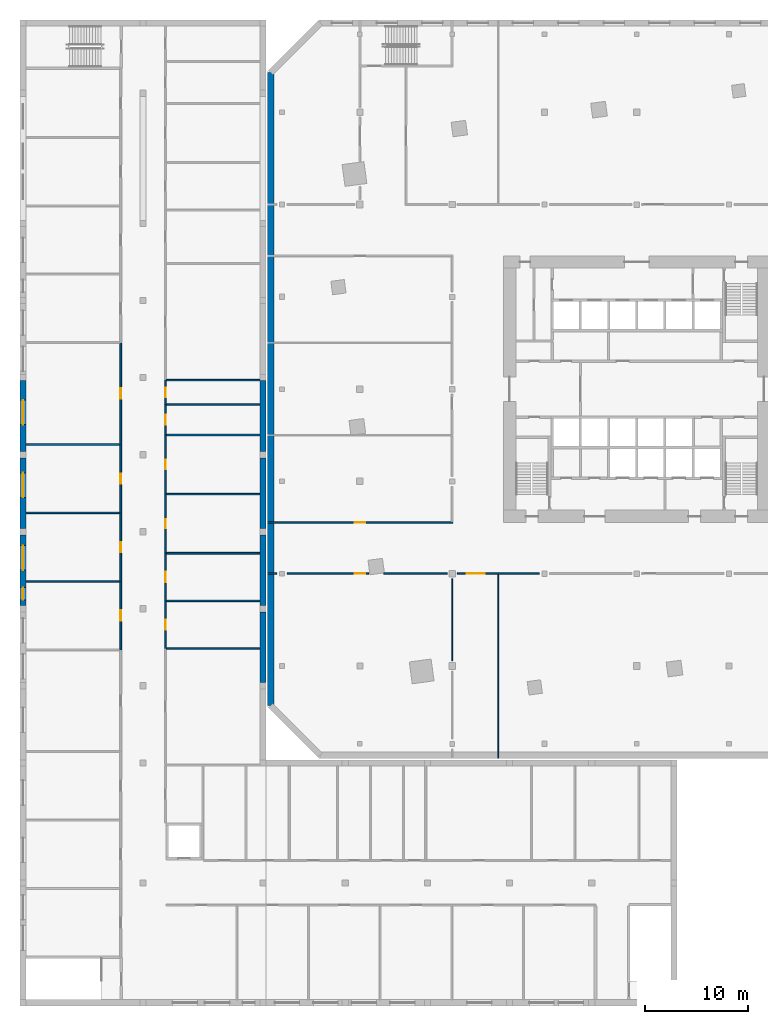
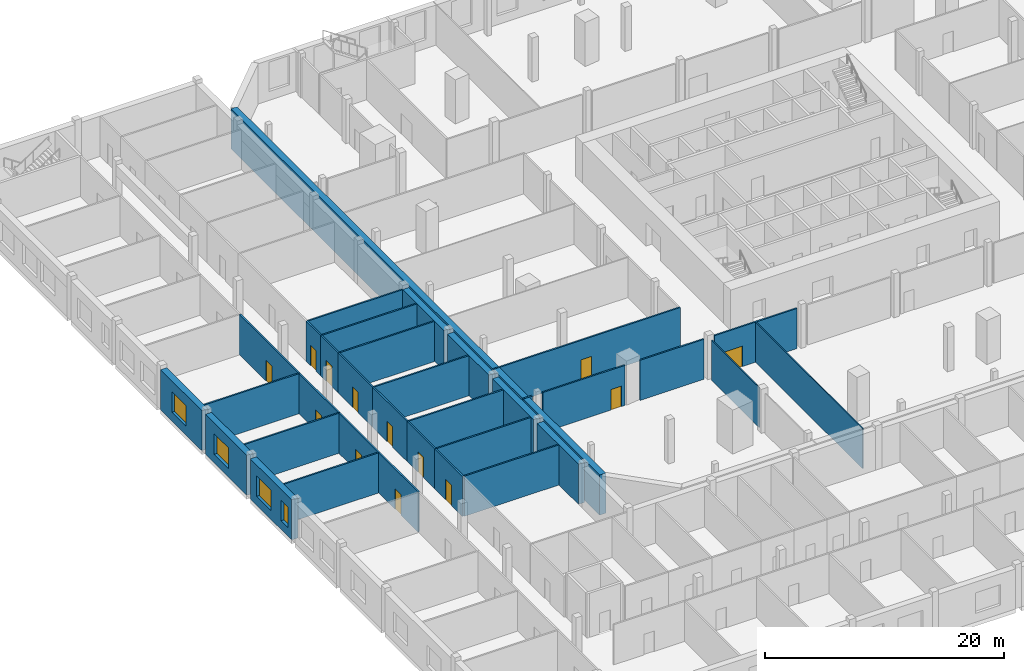
# One storey, part 6 of 18: 35 walls, 13 doors, 4 windows, 17 openings.
"""IFC4 building model written with IfcOpenShell, lengths in metres."""

from ifc_helpers import new_model, si_unit, direction, frame, frame_2d, origin, place, context, subcontext, project, spatial, rectangle, extrude, material, layer, layer_set, type_object, element, fill, save


model = new_model("IFC4")

# Units and contexts
model_context = context("Model", 3, precision=1e-05, world=origin(), true_north=direction((0.0, 1.0)))
body_context = subcontext(model_context, "Body", "Model", "MODEL_VIEW")
ifc_project = project(units=[si_unit("LENGTHUNIT", "METRE"), si_unit("AREAUNIT", "SQUARE_METRE"), si_unit("VOLUMEUNIT", "CUBIC_METRE"), si_unit("PLANEANGLEUNIT", "RADIAN"), si_unit("MASSUNIT", "GRAM", prefix="KILO")], contexts=[model_context])

# Site, building, storey
site_placement = place(None, origin())
site = spatial("IfcSite", under=ifc_project, at=site_placement, CompositionType="ELEMENT")
building_placement = place(site_placement, origin())
building = spatial("IfcBuilding", under=site, at=building_placement, Name="Dilmun Exchange Tower", CompositionType="ELEMENT")
storey_placement = place(building_placement, frame((0.0, 0.0, 13.5)))
storey = spatial("IfcBuildingStorey", under=building, at=storey_placement, Name="L03", CompositionType="ELEMENT", Elevation=13.5)

# Wall
ifc_material_1 = material(Name="Fire partition EI 60 150 gypsum")
ifc_layer_1 = layer(ifc_material_1, 0.14990234375)
ifc_layer_set_1 = layer_set([ifc_layer_1], Name="Fire partition EI 60 150 gypsum")
wall_type_1 = type_object("IfcWallType", Name="Fire partition EI 60 150 gypsum", PredefinedType="PARTITIONING", material=ifc_layer_set_1)
wall_1_placement = place(storey_placement, frame((-36.0, -18.0, 0.0), z_axis=(0.0, 0.0, 1.0), x_axis=(1.0, 0.0, 0.0)))
element("IfcWall", 1, at=wall_1_placement, inside=storey, type_object=wall_type_1, Name="L03 partition", PredefinedType="PARTITIONING", context=body_context, shape_type="SweptSolid", body=[
    extrude(rectangle(XDim=0.89990234375, YDim=0.14990234375, at=frame_2d((0.449951171875, 0.0))), origin(), (0.0, 0.0, 1.0), 4.10009765625),
])

# Wall, opening, door
wall_2_placement = place(storey_placement, frame((-34.10009765625, -18.0, 0.0), z_axis=(0.0, 0.0, 1.0), x_axis=(1.0, 0.0, 0.0)))
wall_2 = element("IfcWall", 2, at=wall_2_placement, inside=storey, type_object=wall_type_1, Name="L03 partition", PredefinedType="PARTITIONING", context=body_context, shape_type="SweptSolid", body=[
    extrude(rectangle(XDim=7.956787109375, YDim=0.14990234375, at=frame_2d((3.978515625, 0.0))), origin(), (0.0, 0.0, 1.0), 4.10009765625),
])
opening_1_placement = place(wall_2_placement, frame((6.60009765625, 0.0, 0.0)))
opening_1 = element("IfcOpeningElement", 3, at=opening_1_placement, cuts=wall_2, Name="Opening L03-D012", PredefinedType="OPENING", context=body_context, shape_type="SweptSolid", body=[
    extrude(rectangle(XDim=1.0, YDim=2.10009765625, at=frame_2d((0.5, 1.050048828125))), frame((0.0, 0.0849609375, 0.0), z_axis=(0.0, -1.0, 0.0), x_axis=(1.0, 0.0, 0.0)), (0.0, 0.0, 1.0), 0.169921875),
])
ifc_material_2 = material(Name="Fire door FD60 1000 x 2100")
door_type_1 = type_object("IfcDoorType", Name="Fire door FD60 1000 x 2100", OperationType="SINGLE_SWING_LEFT", PredefinedType="DOOR", material=ifc_material_2)
door_1_placement = place(opening_1_placement, origin())
door_1 = element("IfcDoor", 4, at=door_1_placement, inside=storey, type_object=door_type_1, Name="L03 door L03-D012", OperationType="SINGLE_SWING_RIGHT", OverallHeight=2.10009765625, OverallWidth=1.0, PredefinedType="DOOR", context=body_context, shape_type="SweptSolid", body=[
    extrude(rectangle(XDim=1.0, YDim=2.10009765625, at=frame_2d((0.5, 1.050048828125))), frame((0.0, 0.02490234375, 0.0), z_axis=(0.0, -1.0, 0.0), x_axis=(1.0, 0.0, 0.0)), (0.0, 0.0, 1.0), 0.050048828125),
])
fill(opening_1, door_1)

# Wall
wall_3_placement = place(storey_placement, frame((-24.680908203125, -18.0, 0.0), z_axis=(0.0, 0.0, 1.0), x_axis=(1.0, 0.0, 0.0)))
element("IfcWall", 5, at=wall_3_placement, inside=storey, type_object=wall_type_1, Name="L03 partition", PredefinedType="PARTITIONING", context=body_context, shape_type="SweptSolid", body=[
    extrude(rectangle(XDim=6.180908203125, YDim=0.14990234375, at=frame_2d((3.09033203125, 0.0))), origin(), (0.0, 0.0, 1.0), 4.10009765625),
])

# Wall, opening, door
wall_4_placement = place(storey_placement, frame((-17.5, -18.0, 0.0), z_axis=(0.0, 0.0, 1.0), x_axis=(1.0, 0.0, 0.0)))
wall_4 = element("IfcWall", 6, at=wall_4_placement, inside=storey, type_object=wall_type_1, Name="L03 partition", PredefinedType="PARTITIONING", context=body_context, shape_type="SweptSolid", body=[
    extrude(rectangle(XDim=8.0, YDim=0.14990234375, at=frame_2d((4.0, 0.0))), origin(), (0.0, 0.0, 1.0), 4.10009765625),
])
opening_2_placement = place(wall_4_placement, frame((0.89990234375, 0.0, 0.0)))
opening_2 = element("IfcOpeningElement", 7, at=opening_2_placement, cuts=wall_4, Name="Opening L03-D013", PredefinedType="OPENING", context=body_context, shape_type="SweptSolid", body=[
    extrude(rectangle(XDim=1.800048828125, YDim=2.10009765625, at=frame_2d((0.89990234375, 1.050048828125))), frame((0.0, 0.0849609375, 0.0), z_axis=(0.0, -1.0, 0.0), x_axis=(1.0, 0.0, 0.0)), (0.0, 0.0, 1.0), 0.169921875),
])
ifc_material_3 = material(Name="Fire door FD60 double 1800 x 2100")
door_type_2 = type_object("IfcDoorType", Name="Fire door FD60 double 1800 x 2100", OperationType="DOUBLE_DOOR_SINGLE_SWING", PredefinedType="DOOR", material=ifc_material_3)
door_2_placement = place(opening_2_placement, origin())
door_2 = element("IfcDoor", 8, at=door_2_placement, inside=storey, type_object=door_type_2, Name="L03 door L03-D013", OperationType="DOUBLE_DOOR_SINGLE_SWING", OverallHeight=2.10009765625, OverallWidth=1.800048828125, PredefinedType="DOOR", context=body_context, shape_type="SweptSolid", body=[
    extrude(rectangle(XDim=1.800048828125, YDim=2.10009765625, at=frame_2d((0.89990234375, 1.050048828125))), frame((0.0, 0.02490234375, 0.0), z_axis=(0.0, -1.0, 0.0), x_axis=(1.0, 0.0, 0.0)), (0.0, 0.0, 1.0), 0.050048828125),
])
fill(opening_2, door_2)

wall_5_placement = place(storey_placement, frame((-36.0, -13.0, 0.0), z_axis=(0.0, 0.0, 1.0), x_axis=(1.0, 0.0, 0.0)))
wall_5 = element("IfcWall", 9, at=wall_5_placement, inside=storey, type_object=wall_type_1, Name="L03 partition", PredefinedType="PARTITIONING", context=body_context, shape_type="SweptSolid", body=[
    extrude(rectangle(XDim=18.074951171875, YDim=0.14990234375, at=frame_2d((9.03759765625, 0.0))), origin(), (0.0, 0.0, 1.0), 4.10009765625),
])
opening_3_placement = place(wall_5_placement, frame((8.5, 0.0, 0.0)))
opening_3 = element("IfcOpeningElement", 10, at=opening_3_placement, cuts=wall_5, Name="Opening L03-D017", PredefinedType="OPENING", context=body_context, shape_type="SweptSolid", body=[
    extrude(rectangle(XDim=1.0, YDim=2.10009765625, at=frame_2d((0.5, 1.050048828125))), frame((0.0, 0.0849609375, 0.0), z_axis=(0.0, -1.0, 0.0), x_axis=(1.0, 0.0, 0.0)), (0.0, 0.0, 1.0), 0.169921875),
])
door_3_placement = place(opening_3_placement, origin())
door_3 = element("IfcDoor", 11, at=door_3_placement, inside=storey, type_object=door_type_1, Name="L03 door L03-D017", OperationType="SINGLE_SWING_LEFT", OverallHeight=2.10009765625, OverallWidth=1.0, PredefinedType="DOOR", context=body_context, shape_type="SweptSolid", body=[
    extrude(rectangle(XDim=1.0, YDim=2.10009765625, at=frame_2d((0.5, 1.050048828125))), frame((0.0, 0.02490234375, 0.0), z_axis=(0.0, -1.0, 0.0), x_axis=(1.0, 0.0, 0.0)), (0.0, 0.0, 1.0), 0.050048828125),
])
fill(opening_3, door_3)

# Walls
ifc_material_4 = material(Name="Partition 100 gypsum")
ifc_layer_2 = layer(ifc_material_4, 0.10009765625)
ifc_layer_set_2 = layer_set([ifc_layer_2], Name="Partition 100 gypsum")
wall_type_2 = type_object("IfcWallType", Name="Partition 100 gypsum", PredefinedType="PARTITIONING", material=ifc_layer_set_2)
wall_6_placement = place(storey_placement, frame((-18.0, -26.5, 0.0), z_axis=(0.0, 0.0, 1.0), x_axis=(0.0, 1.0, 0.0)))
element("IfcWall", 12, at=wall_6_placement, inside=storey, type_object=wall_type_2, Name="L03 partition", PredefinedType="PARTITIONING", context=body_context, shape_type="SweptSolid", body=[
    extrude(rectangle(XDim=8.0, YDim=0.10009765625, at=frame_2d((4.0, 0.0))), origin(), (0.0, 0.0, 1.0), 4.10009765625),
])
wall_7_placement = place(storey_placement, frame((-13.5, -36.0, 0.0), z_axis=(0.0, 0.0, 1.0), x_axis=(0.0, 1.0, 0.0)))
element("IfcWall", 13, at=wall_7_placement, inside=storey, type_object=wall_type_2, Name="L03 partition", PredefinedType="PARTITIONING", context=body_context, shape_type="SweptSolid", body=[
    extrude(rectangle(XDim=17.925048828125, YDim=0.10009765625, at=frame_2d((8.96240234375, 0.0))), origin(), (0.0, 0.0, 1.0), 4.10009765625),
])
ifc_material_5 = material(Name="Precast concrete C50/60", Category="concrete")
ifc_layer_3 = layer(ifc_material_5, 0.60009765625)
ifc_layer_set_3 = layer_set([ifc_layer_3], Name="Precast concrete C50/60")
wall_type_3 = type_object("IfcWallType", Name="Precast stone-clad wall 600", PredefinedType="STANDARD", material=ifc_layer_set_3)
wall_8_placement = place(storey_placement, frame((-35.699951171875, 30.875732421875, 0.0), z_axis=(0.0, 0.0, 1.0), x_axis=(0.0, -1.0, 0.0)))
element("IfcWall", 14, at=wall_8_placement, inside=storey, type_object=wall_type_3, Name="Facade wall L03-06-0", PredefinedType="STANDARD", context=body_context, shape_type="SweptSolid", body=[
    extrude(rectangle(XDim=61.75146484375, YDim=0.60009765625, at=frame_2d((30.875732421875, 0.0))), origin(), (0.0, 0.0, 1.0), 4.10009765625),
])

# Wall, openings, windows
ifc_material_6 = material(Name="Precast concrete C40/50", Category="concrete")
ifc_layer_4 = layer(ifc_material_6, 0.60009765625)
ifc_layer_set_4 = layer_set([ifc_layer_4], Name="Precast concrete C40/50")
wall_type_4 = type_object("IfcWallType", Name="School external wall 600 precast C40/50", PredefinedType="STANDARD", material=ifc_layer_set_4)
wall_9_placement = place(storey_placement, frame((-59.85009765625, -21.121337890625, 0.0), z_axis=(0.0, 0.0, 1.0), x_axis=(0.0, 1.0, 0.0)))
wall_9 = element("IfcWall", 15, at=wall_9_placement, inside=storey, type_object=wall_type_4, Name="School external wall", PredefinedType="STANDARD", context=body_context, shape_type="SweptSolid", body=[
    extrude(rectangle(XDim=6.914306640625, YDim=0.60009765625, at=frame_2d((3.45703125, 0.0))), origin(), (0.0, 0.0, 1.0), 4.10009765625),
])
opening_4_placement = place(wall_9_placement, frame((0.564208984375, 0.0, 0.89990234375)))
opening_4 = element("IfcOpeningElement", 16, at=opening_4_placement, cuts=wall_9, Name="Opening SCH-W12", PredefinedType="OPENING", context=body_context, shape_type="SweptSolid", body=[
    extrude(rectangle(XDim=1.199951171875, YDim=2.10009765625, at=frame_2d((0.60009765625, 1.050048828125))), frame((0.0, 0.31005859375, 0.0), z_axis=(0.0, -1.0, 0.0), x_axis=(1.0, 0.0, 0.0)), (0.0, 0.0, 1.0), 0.6201171875),
])
opening_5_placement = place(wall_9_placement, frame((3.46630859375, 0.0, 0.89990234375)))
opening_5 = element("IfcOpeningElement", 17, at=opening_5_placement, cuts=wall_9, Name="Opening SCH-W24", PredefinedType="OPENING", context=body_context, shape_type="SweptSolid", body=[
    extrude(rectangle(XDim=2.39990234375, YDim=2.10009765625, at=frame_2d((1.199951171875, 1.050048828125))), frame((0.0, 0.31005859375, 0.0), z_axis=(0.0, -1.0, 0.0), x_axis=(1.0, 0.0, 0.0)), (0.0, 0.0, 1.0), 0.6201171875),
])
ifc_material_7 = material(Name="Clear low-emissivity glass in aluminium frame", Category="aluminium")
window_type_1 = type_object("IfcWindowType", Name="School window 1200 x 2100", PartitioningType="DOUBLE_PANEL_VERTICAL", PredefinedType="WINDOW", material=ifc_material_7)
window_1_placement = place(opening_4_placement, origin())
window_1 = element("IfcWindow", 18, at=window_1_placement, inside=storey, type_object=window_type_1, Name="School window", OverallHeight=2.10009765625, OverallWidth=1.199951171875, PartitioningType="SINGLE_PANEL", PredefinedType="WINDOW", context=body_context, shape_type="SweptSolid", body=[
    extrude(rectangle(XDim=1.199951171875, YDim=2.10009765625, at=frame_2d((0.60009765625, 1.050048828125))), frame((0.0, 0.030029296875, 0.0), z_axis=(0.0, -1.0, 0.0), x_axis=(1.0, 0.0, 0.0)), (0.0, 0.0, 1.0), 0.06005859375),
])
fill(opening_4, window_1)
window_type_2 = type_object("IfcWindowType", Name="School window 2400 x 2100", PartitioningType="DOUBLE_PANEL_VERTICAL", PredefinedType="WINDOW", material=ifc_material_7)
window_2_placement = place(opening_5_placement, origin())
window_2 = element("IfcWindow", 19, at=window_2_placement, inside=storey, type_object=window_type_2, Name="School window", OverallHeight=2.10009765625, OverallWidth=2.39990234375, PartitioningType="SINGLE_PANEL", PredefinedType="WINDOW", context=body_context, shape_type="SweptSolid", body=[
    extrude(rectangle(XDim=2.39990234375, YDim=2.10009765625, at=frame_2d((1.199951171875, 1.050048828125))), frame((0.0, 0.030029296875, 0.0), z_axis=(0.0, -1.0, 0.0), x_axis=(1.0, 0.0, 0.0)), (0.0, 0.0, 1.0), 0.06005859375),
])
fill(opening_5, window_2)

# Wall, opening, window
wall_10_placement = place(storey_placement, frame((-59.85009765625, -13.607177734375, 0.0), z_axis=(0.0, 0.0, 1.0), x_axis=(0.0, 1.0, 0.0)))
wall_10 = element("IfcWall", 20, at=wall_10_placement, inside=storey, type_object=wall_type_4, Name="School external wall", PredefinedType="STANDARD", context=body_context, shape_type="SweptSolid", body=[
    extrude(rectangle(XDim=6.914306640625, YDim=0.60009765625, at=frame_2d((3.45703125, 0.0))), origin(), (0.0, 0.0, 1.0), 4.10009765625),
])
opening_6_placement = place(wall_10_placement, frame((3.045654296875, 0.0, 0.89990234375)))
opening_6 = element("IfcOpeningElement", 21, at=opening_6_placement, cuts=wall_10, Name="Opening SCH-W24", PredefinedType="OPENING", context=body_context, shape_type="SweptSolid", body=[
    extrude(rectangle(XDim=2.39990234375, YDim=2.10009765625, at=frame_2d((1.199951171875, 1.050048828125))), frame((0.0, 0.31005859375, 0.0), z_axis=(0.0, -1.0, 0.0), x_axis=(1.0, 0.0, 0.0)), (0.0, 0.0, 1.0), 0.6201171875),
])
window_3_placement = place(opening_6_placement, origin())
window_3 = element("IfcWindow", 22, at=window_3_placement, inside=storey, type_object=window_type_2, Name="School window", OverallHeight=2.10009765625, OverallWidth=2.39990234375, PartitioningType="SINGLE_PANEL", PredefinedType="WINDOW", context=body_context, shape_type="SweptSolid", body=[
    extrude(rectangle(XDim=2.39990234375, YDim=2.10009765625, at=frame_2d((1.199951171875, 1.050048828125))), frame((0.0, 0.030029296875, 0.0), z_axis=(0.0, -1.0, 0.0), x_axis=(1.0, 0.0, 0.0)), (0.0, 0.0, 1.0), 0.06005859375),
])
fill(opening_6, window_3)

wall_11_placement = place(storey_placement, frame((-59.85009765625, -6.093017578125, 0.0), z_axis=(0.0, 0.0, 1.0), x_axis=(0.0, 1.0, 0.0)))
wall_11 = element("IfcWall", 23, at=wall_11_placement, inside=storey, type_object=wall_type_4, Name="School external wall", PredefinedType="STANDARD", context=body_context, shape_type="SweptSolid", body=[
    extrude(rectangle(XDim=6.914306640625, YDim=0.60009765625, at=frame_2d((3.45703125, 0.0))), origin(), (0.0, 0.0, 1.0), 4.10009765625),
])
opening_7_placement = place(wall_11_placement, frame((2.625, 0.0, 0.89990234375)))
opening_7 = element("IfcOpeningElement", 24, at=opening_7_placement, cuts=wall_11, Name="Opening SCH-W24", PredefinedType="OPENING", context=body_context, shape_type="SweptSolid", body=[
    extrude(rectangle(XDim=2.39990234375, YDim=2.10009765625, at=frame_2d((1.199951171875, 1.050048828125))), frame((0.0, 0.31005859375, 0.0), z_axis=(0.0, -1.0, 0.0), x_axis=(1.0, 0.0, 0.0)), (0.0, 0.0, 1.0), 0.6201171875),
])
window_4_placement = place(opening_7_placement, origin())
window_4 = element("IfcWindow", 25, at=window_4_placement, inside=storey, type_object=window_type_2, Name="School window", OverallHeight=2.10009765625, OverallWidth=2.39990234375, PartitioningType="SINGLE_PANEL", PredefinedType="WINDOW", context=body_context, shape_type="SweptSolid", body=[
    extrude(rectangle(XDim=2.39990234375, YDim=2.10009765625, at=frame_2d((1.199951171875, 1.050048828125))), frame((0.0, 0.030029296875, 0.0), z_axis=(0.0, -1.0, 0.0), x_axis=(1.0, 0.0, 0.0)), (0.0, 0.0, 1.0), 0.06005859375),
])
fill(opening_7, window_4)

# Walls
for number, where, z_axis, x_axis, name in (
    (26, (-36.449951171875, 0.8212890625, 0.0), (0.0, 0.0, 1.0), (0.0, -1.0, 0.0), "School external wall"),
    (27, (-36.449951171875, -6.69287109375, 0.0), (0.0, 0.0, 1.0), (0.0, -1.0, 0.0), "School external wall"),
    (28, (-36.449951171875, -14.20703125, 0.0), (0.0, 0.0, 1.0), (0.0, -1.0, 0.0), "School external wall"),
    (29, (-36.449951171875, -21.721435546875, 0.0), (0.0, 0.0, 1.0), (0.0, -1.0, 0.0), "School external wall"),
):
    element("IfcWall", number, at=place(storey_placement, frame(where, z_axis=z_axis, x_axis=x_axis)), inside=storey, type_object=wall_type_4, Name=name, PredefinedType="STANDARD", context=body_context, shape_type="SweptSolid", body=[
        extrude(rectangle(XDim=6.914306640625, YDim=0.60009765625, at=frame_2d((3.45703125, 0.0))), origin(), (0.0, 0.0, 1.0), 4.10009765625),
    ])
ifc_material_8 = material(Name="Gypsum board on steel studs", Category="steel")
ifc_layer_5 = layer(ifc_material_8, 0.14990234375)
ifc_layer_set_5 = layer_set([ifc_layer_5], Name="Gypsum board on steel studs")
wall_type_5 = type_object("IfcWallType", Name="School partition 150 gypsum board", PredefinedType="PARTITIONING", material=ifc_layer_set_5)
for number, where, z_axis, x_axis, name in (
    (30, (-59.550048828125, -18.748046875, 0.0), (0.0, 0.0, 1.0), (1.0, 0.0, 0.0), "School partition"),
    (31, (-59.550048828125, -12.074951171875, 0.0), (0.0, 0.0, 1.0), (1.0, 0.0, 0.0), "School partition"),
    (32, (-59.550048828125, -5.40185546875, 0.0), (0.0, 0.0, 1.0), (1.0, 0.0, 0.0), "School partition"),
):
    element("IfcWall", number, at=place(storey_placement, frame(where, z_axis=z_axis, x_axis=x_axis)), inside=storey, type_object=wall_type_5, Name=name, PredefinedType="PARTITIONING", context=body_context, shape_type="SweptSolid", body=[
        extrude(rectangle(XDim=9.150146484375, YDim=0.14990234375, at=frame_2d((4.5751953125, 0.0))), origin(), (0.0, 0.0, 1.0), 4.10009765625),
    ])

# Wall, opening, door
wall_12_placement = place(storey_placement, frame((-50.324951171875, -25.421142578125, 0.0), z_axis=(0.0, 0.0, 1.0), x_axis=(0.0, 1.0, 0.0)))
wall_12 = element("IfcWall", 33, at=wall_12_placement, inside=storey, type_object=wall_type_5, Name="School corridor wall", PredefinedType="PARTITIONING", context=body_context, shape_type="SweptSolid", body=[
    extrude(rectangle(XDim=6.673095703125, YDim=0.14990234375, at=frame_2d((3.33642578125, 0.0))), origin(), (0.0, 0.0, 1.0), 4.10009765625),
])
opening_8_placement = place(wall_12_placement, frame((2.83642578125, 0.0, 0.0)))
opening_8 = element("IfcOpeningElement", 34, at=opening_8_placement, cuts=wall_12, Name="Opening SCH-D1", PredefinedType="OPENING", context=body_context, shape_type="SweptSolid", body=[
    extrude(rectangle(XDim=1.0, YDim=2.10009765625, at=frame_2d((0.5, 1.050048828125))), frame((0.0, 0.0849609375, 0.0), z_axis=(0.0, -1.0, 0.0), x_axis=(1.0, 0.0, 0.0)), (0.0, 0.0, 1.0), 0.169921875),
])
ifc_material_9 = material(Name="Timber door leaf in steel frame", Category="steel")
door_type_3 = type_object("IfcDoorType", Name="School door FD30S 1000 x 2100", OperationType="NOTDEFINED", PredefinedType="DOOR", material=ifc_material_9)
door_4_placement = place(opening_8_placement, origin())
door_4 = element("IfcDoor", 35, at=door_4_placement, inside=storey, type_object=door_type_3, Name="Classroom door", OperationType="SINGLE_SWING_RIGHT", OverallHeight=2.10009765625, OverallWidth=1.0, PredefinedType="DOOR", context=body_context, shape_type="SweptSolid", body=[
    extrude(rectangle(XDim=1.0, YDim=2.10009765625, at=frame_2d((0.5, 1.050048828125))), frame((0.0, 0.02490234375, 0.0), z_axis=(0.0, -1.0, 0.0), x_axis=(1.0, 0.0, 0.0)), (0.0, 0.0, 1.0), 0.050048828125),
])
fill(opening_8, door_4)

wall_13_placement = place(storey_placement, frame((-50.324951171875, -18.748046875, 0.0), z_axis=(0.0, 0.0, 1.0), x_axis=(0.0, 1.0, 0.0)))
wall_13 = element("IfcWall", 36, at=wall_13_placement, inside=storey, type_object=wall_type_5, Name="School corridor wall", PredefinedType="PARTITIONING", context=body_context, shape_type="SweptSolid", body=[
    extrude(rectangle(XDim=6.673095703125, YDim=0.14990234375, at=frame_2d((3.33642578125, 0.0))), origin(), (0.0, 0.0, 1.0), 4.10009765625),
])
opening_9_placement = place(wall_13_placement, frame((2.83642578125, 0.0, 0.0)))
opening_9 = element("IfcOpeningElement", 37, at=opening_9_placement, cuts=wall_13, Name="Opening SCH-D1", PredefinedType="OPENING", context=body_context, shape_type="SweptSolid", body=[
    extrude(rectangle(XDim=1.0, YDim=2.10009765625, at=frame_2d((0.5, 1.050048828125))), frame((0.0, 0.0849609375, 0.0), z_axis=(0.0, -1.0, 0.0), x_axis=(1.0, 0.0, 0.0)), (0.0, 0.0, 1.0), 0.169921875),
])
door_5_placement = place(opening_9_placement, origin())
door_5 = element("IfcDoor", 38, at=door_5_placement, inside=storey, type_object=door_type_3, Name="Classroom door", OperationType="SINGLE_SWING_LEFT", OverallHeight=2.10009765625, OverallWidth=1.0, PredefinedType="DOOR", context=body_context, shape_type="SweptSolid", body=[
    extrude(rectangle(XDim=1.0, YDim=2.10009765625, at=frame_2d((0.5, 1.050048828125))), frame((0.0, 0.02490234375, 0.0), z_axis=(0.0, -1.0, 0.0), x_axis=(1.0, 0.0, 0.0)), (0.0, 0.0, 1.0), 0.050048828125),
])
fill(opening_9, door_5)

wall_14_placement = place(storey_placement, frame((-50.324951171875, -12.074951171875, 0.0), z_axis=(0.0, 0.0, 1.0), x_axis=(0.0, 1.0, 0.0)))
wall_14 = element("IfcWall", 39, at=wall_14_placement, inside=storey, type_object=wall_type_5, Name="School corridor wall", PredefinedType="PARTITIONING", context=body_context, shape_type="SweptSolid", body=[
    extrude(rectangle(XDim=6.673095703125, YDim=0.14990234375, at=frame_2d((3.33642578125, 0.0))), origin(), (0.0, 0.0, 1.0), 4.10009765625),
])
opening_10_placement = place(wall_14_placement, frame((2.83642578125, 0.0, 0.0)))
opening_10 = element("IfcOpeningElement", 40, at=opening_10_placement, cuts=wall_14, Name="Opening SCH-D1", PredefinedType="OPENING", context=body_context, shape_type="SweptSolid", body=[
    extrude(rectangle(XDim=1.0, YDim=2.10009765625, at=frame_2d((0.5, 1.050048828125))), frame((0.0, 0.0849609375, 0.0), z_axis=(0.0, -1.0, 0.0), x_axis=(1.0, 0.0, 0.0)), (0.0, 0.0, 1.0), 0.169921875),
])
door_6_placement = place(opening_10_placement, origin())
door_6 = element("IfcDoor", 41, at=door_6_placement, inside=storey, type_object=door_type_3, Name="Classroom door", OperationType="SINGLE_SWING_RIGHT", OverallHeight=2.10009765625, OverallWidth=1.0, PredefinedType="DOOR", context=body_context, shape_type="SweptSolid", body=[
    extrude(rectangle(XDim=1.0, YDim=2.10009765625, at=frame_2d((0.5, 1.050048828125))), frame((0.0, 0.02490234375, 0.0), z_axis=(0.0, -1.0, 0.0), x_axis=(1.0, 0.0, 0.0)), (0.0, 0.0, 1.0), 0.050048828125),
])
fill(opening_10, door_6)

wall_15_placement = place(storey_placement, frame((-50.324951171875, -5.40185546875, 0.0), z_axis=(0.0, 0.0, 1.0), x_axis=(0.0, 1.0, 0.0)))
wall_15 = element("IfcWall", 42, at=wall_15_placement, inside=storey, type_object=wall_type_5, Name="School corridor wall", PredefinedType="PARTITIONING", context=body_context, shape_type="SweptSolid", body=[
    extrude(rectangle(XDim=9.9345703125, YDim=0.14990234375, at=frame_2d((4.96728515625, 0.0))), origin(), (0.0, 0.0, 1.0), 4.10009765625),
])
opening_11_placement = place(wall_15_placement, frame((4.46728515625, 0.0, 0.0)))
opening_11 = element("IfcOpeningElement", 43, at=opening_11_placement, cuts=wall_15, Name="Opening SCH-D1", PredefinedType="OPENING", context=body_context, shape_type="SweptSolid", body=[
    extrude(rectangle(XDim=1.0, YDim=2.10009765625, at=frame_2d((0.5, 1.050048828125))), frame((0.0, 0.0849609375, 0.0), z_axis=(0.0, -1.0, 0.0), x_axis=(1.0, 0.0, 0.0)), (0.0, 0.0, 1.0), 0.169921875),
])
door_7_placement = place(opening_11_placement, origin())
door_7 = element("IfcDoor", 44, at=door_7_placement, inside=storey, type_object=door_type_3, Name="Science laboratory door", OperationType="SINGLE_SWING_LEFT", OverallHeight=2.10009765625, OverallWidth=1.0, PredefinedType="DOOR", context=body_context, shape_type="SweptSolid", body=[
    extrude(rectangle(XDim=1.0, YDim=2.10009765625, at=frame_2d((0.5, 1.050048828125))), frame((0.0, 0.02490234375, 0.0), z_axis=(0.0, -1.0, 0.0), x_axis=(1.0, 0.0, 0.0)), (0.0, 0.0, 1.0), 0.050048828125),
])
fill(opening_11, door_7)

# Walls
for number, where, z_axis, x_axis, name in (
    (45, (-45.89990234375, -25.29296875, 0.0), (0.0, 0.0, 1.0), (1.0, 0.0, 0.0), "School partition"),
    (46, (-45.89990234375, -20.650146484375, 0.0), (0.0, 0.0, 1.0), (1.0, 0.0, 0.0), "School partition"),
    (47, (-45.89990234375, -16.00732421875, 0.0), (0.0, 0.0, 1.0), (1.0, 0.0, 0.0), "School partition"),
    (48, (-45.89990234375, -10.241455078125, 0.0), (0.0, 0.0, 1.0), (1.0, 0.0, 0.0), "School partition"),
    (49, (-45.89990234375, -4.475341796875, 0.0), (0.0, 0.0, 1.0), (1.0, 0.0, 0.0), "School partition"),
    (50, (-45.89990234375, -1.517333984375, 0.0), (0.0, 0.0, 1.0), (1.0, 0.0, 0.0), "School partition"),
    (51, (-45.89990234375, 0.87890625, 0.0), (0.0, 0.0, 1.0), (1.0, 0.0, 0.0), "School partition"),
):
    element("IfcWall", number, at=place(storey_placement, frame(where, z_axis=z_axis, x_axis=x_axis)), inside=storey, type_object=wall_type_5, Name=name, PredefinedType="PARTITIONING", context=body_context, shape_type="SweptSolid", body=[
        extrude(rectangle(XDim=9.14990234375, YDim=0.14990234375, at=frame_2d((4.574951171875, 0.0))), origin(), (0.0, 0.0, 1.0), 4.10009765625),
    ])

# Wall, opening, door
wall_16_placement = place(storey_placement, frame((-45.97509765625, -25.29296875, 0.0), z_axis=(0.0, 0.0, 1.0), x_axis=(0.0, 1.0, 0.0)))
wall_16 = element("IfcWall", 52, at=wall_16_placement, inside=storey, type_object=wall_type_5, Name="School corridor wall", PredefinedType="PARTITIONING", context=body_context, shape_type="SweptSolid", body=[
    extrude(rectangle(XDim=4.642822265625, YDim=0.14990234375, at=frame_2d((2.3212890625, 0.0))), origin(), (0.0, 0.0, 1.0), 4.10009765625),
])
opening_12_placement = place(wall_16_placement, frame((1.8212890625, 0.0, 0.0)))
opening_12 = element("IfcOpeningElement", 53, at=opening_12_placement, cuts=wall_16, Name="Opening SCH-D1", PredefinedType="OPENING", context=body_context, shape_type="SweptSolid", body=[
    extrude(rectangle(XDim=1.0, YDim=2.10009765625, at=frame_2d((0.5, 1.050048828125))), frame((0.0, 0.0849609375, 0.0), z_axis=(0.0, -1.0, 0.0), x_axis=(1.0, 0.0, 0.0)), (0.0, 0.0, 1.0), 0.169921875),
])
door_8_placement = place(opening_12_placement, origin())
door_8 = element("IfcDoor", 54, at=door_8_placement, inside=storey, type_object=door_type_3, Name="Music practice room door", OperationType="SINGLE_SWING_RIGHT", OverallHeight=2.10009765625, OverallWidth=1.0, PredefinedType="DOOR", context=body_context, shape_type="SweptSolid", body=[
    extrude(rectangle(XDim=1.0, YDim=2.10009765625, at=frame_2d((0.5, 1.050048828125))), frame((0.0, 0.02490234375, 0.0), z_axis=(0.0, -1.0, 0.0), x_axis=(1.0, 0.0, 0.0)), (0.0, 0.0, 1.0), 0.050048828125),
])
fill(opening_12, door_8)

wall_17_placement = place(storey_placement, frame((-45.97509765625, -20.650146484375, 0.0), z_axis=(0.0, 0.0, 1.0), x_axis=(0.0, 1.0, 0.0)))
wall_17 = element("IfcWall", 55, at=wall_17_placement, inside=storey, type_object=wall_type_5, Name="School corridor wall", PredefinedType="PARTITIONING", context=body_context, shape_type="SweptSolid", body=[
    extrude(rectangle(XDim=4.642822265625, YDim=0.14990234375, at=frame_2d((2.3212890625, 0.0))), origin(), (0.0, 0.0, 1.0), 4.10009765625),
])
opening_13_placement = place(wall_17_placement, frame((1.8212890625, 0.0, 0.0)))
opening_13 = element("IfcOpeningElement", 56, at=opening_13_placement, cuts=wall_17, Name="Opening SCH-D1", PredefinedType="OPENING", context=body_context, shape_type="SweptSolid", body=[
    extrude(rectangle(XDim=1.0, YDim=2.10009765625, at=frame_2d((0.5, 1.050048828125))), frame((0.0, 0.0849609375, 0.0), z_axis=(0.0, -1.0, 0.0), x_axis=(1.0, 0.0, 0.0)), (0.0, 0.0, 1.0), 0.169921875),
])
door_9_placement = place(opening_13_placement, origin())
door_9 = element("IfcDoor", 57, at=door_9_placement, inside=storey, type_object=door_type_3, Name="Music practice room door", OperationType="SINGLE_SWING_LEFT", OverallHeight=2.10009765625, OverallWidth=1.0, PredefinedType="DOOR", context=body_context, shape_type="SweptSolid", body=[
    extrude(rectangle(XDim=1.0, YDim=2.10009765625, at=frame_2d((0.5, 1.050048828125))), frame((0.0, 0.02490234375, 0.0), z_axis=(0.0, -1.0, 0.0), x_axis=(1.0, 0.0, 0.0)), (0.0, 0.0, 1.0), 0.050048828125),
])
fill(opening_13, door_9)

wall_18_placement = place(storey_placement, frame((-45.97509765625, -16.00732421875, 0.0), z_axis=(0.0, 0.0, 1.0), x_axis=(0.0, 1.0, 0.0)))
wall_18 = element("IfcWall", 58, at=wall_18_placement, inside=storey, type_object=wall_type_5, Name="School corridor wall", PredefinedType="PARTITIONING", context=body_context, shape_type="SweptSolid", body=[
    extrude(rectangle(XDim=5.765869140625, YDim=0.14990234375, at=frame_2d((2.8828125, 0.0))), origin(), (0.0, 0.0, 1.0), 4.10009765625),
])
opening_14_placement = place(wall_18_placement, frame((2.43310546875, 0.0, 0.0)))
opening_14 = element("IfcOpeningElement", 59, at=opening_14_placement, cuts=wall_18, Name="Opening SCH-D2", PredefinedType="OPENING", context=body_context, shape_type="SweptSolid", body=[
    extrude(rectangle(XDim=0.89990234375, YDim=2.10009765625, at=frame_2d((0.449951171875, 1.050048828125))), frame((0.0, 0.0849609375, 0.0), z_axis=(0.0, -1.0, 0.0), x_axis=(1.0, 0.0, 0.0)), (0.0, 0.0, 1.0), 0.169921875),
])
door_type_4 = type_object("IfcDoorType", Name="School door FD30S 900 x 2100", OperationType="NOTDEFINED", PredefinedType="DOOR", material=ifc_material_9)
door_10_placement = place(opening_14_placement, origin())
door_10 = element("IfcDoor", 60, at=door_10_placement, inside=storey, type_object=door_type_4, Name="Boys WC door", OperationType="SINGLE_SWING_RIGHT", OverallHeight=2.10009765625, OverallWidth=0.89990234375, PredefinedType="DOOR", context=body_context, shape_type="SweptSolid", body=[
    extrude(rectangle(XDim=0.89990234375, YDim=2.10009765625, at=frame_2d((0.449951171875, 1.050048828125))), frame((0.0, 0.02490234375, 0.0), z_axis=(0.0, -1.0, 0.0), x_axis=(1.0, 0.0, 0.0)), (0.0, 0.0, 1.0), 0.050048828125),
])
fill(opening_14, door_10)

wall_19_placement = place(storey_placement, frame((-45.97509765625, -10.241455078125, 0.0), z_axis=(0.0, 0.0, 1.0), x_axis=(0.0, 1.0, 0.0)))
wall_19 = element("IfcWall", 61, at=wall_19_placement, inside=storey, type_object=wall_type_5, Name="School corridor wall", PredefinedType="PARTITIONING", context=body_context, shape_type="SweptSolid", body=[
    extrude(rectangle(XDim=5.76611328125, YDim=0.14990234375, at=frame_2d((2.883056640625, 0.0))), origin(), (0.0, 0.0, 1.0), 4.10009765625),
])
opening_15_placement = place(wall_19_placement, frame((2.43310546875, 0.0, 0.0)))
opening_15 = element("IfcOpeningElement", 62, at=opening_15_placement, cuts=wall_19, Name="Opening SCH-D2", PredefinedType="OPENING", context=body_context, shape_type="SweptSolid", body=[
    extrude(rectangle(XDim=0.89990234375, YDim=2.10009765625, at=frame_2d((0.449951171875, 1.050048828125))), frame((0.0, 0.0849609375, 0.0), z_axis=(0.0, -1.0, 0.0), x_axis=(1.0, 0.0, 0.0)), (0.0, 0.0, 1.0), 0.169921875),
])
door_11_placement = place(opening_15_placement, origin())
door_11 = element("IfcDoor", 63, at=door_11_placement, inside=storey, type_object=door_type_4, Name="Girls WC door", OperationType="SINGLE_SWING_LEFT", OverallHeight=2.10009765625, OverallWidth=0.89990234375, PredefinedType="DOOR", context=body_context, shape_type="SweptSolid", body=[
    extrude(rectangle(XDim=0.89990234375, YDim=2.10009765625, at=frame_2d((0.449951171875, 1.050048828125))), frame((0.0, 0.02490234375, 0.0), z_axis=(0.0, -1.0, 0.0), x_axis=(1.0, 0.0, 0.0)), (0.0, 0.0, 1.0), 0.050048828125),
])
fill(opening_15, door_11)

wall_20_placement = place(storey_placement, frame((-45.97509765625, -4.475341796875, 0.0), z_axis=(0.0, 0.0, 1.0), x_axis=(0.0, 1.0, 0.0)))
wall_20 = element("IfcWall", 64, at=wall_20_placement, inside=storey, type_object=wall_type_5, Name="School corridor wall", PredefinedType="PARTITIONING", context=body_context, shape_type="SweptSolid", body=[
    extrude(rectangle(XDim=2.9580078125, YDim=0.14990234375, at=frame_2d((1.47900390625, 0.0))), origin(), (0.0, 0.0, 1.0), 4.10009765625),
])
opening_16_placement = place(wall_20_placement, frame((0.97900390625, 0.0, 0.0)))
opening_16 = element("IfcOpeningElement", 65, at=opening_16_placement, cuts=wall_20, Name="Opening SCH-D1", PredefinedType="OPENING", context=body_context, shape_type="SweptSolid", body=[
    extrude(rectangle(XDim=1.0, YDim=2.10009765625, at=frame_2d((0.5, 1.050048828125))), frame((0.0, 0.0849609375, 0.0), z_axis=(0.0, -1.0, 0.0), x_axis=(1.0, 0.0, 0.0)), (0.0, 0.0, 1.0), 0.169921875),
])
door_12_placement = place(opening_16_placement, origin())
door_12 = element("IfcDoor", 66, at=door_12_placement, inside=storey, type_object=door_type_3, Name="Accessible WC door", OperationType="SINGLE_SWING_RIGHT", OverallHeight=2.10009765625, OverallWidth=1.0, PredefinedType="DOOR", context=body_context, shape_type="SweptSolid", body=[
    extrude(rectangle(XDim=1.0, YDim=2.10009765625, at=frame_2d((0.5, 1.050048828125))), frame((0.0, 0.02490234375, 0.0), z_axis=(0.0, -1.0, 0.0), x_axis=(1.0, 0.0, 0.0)), (0.0, 0.0, 1.0), 0.050048828125),
])
fill(opening_16, door_12)

wall_21_placement = place(storey_placement, frame((-45.97509765625, -1.517333984375, 0.0), z_axis=(0.0, 0.0, 1.0), x_axis=(0.0, 1.0, 0.0)))
wall_21 = element("IfcWall", 67, at=wall_21_placement, inside=storey, type_object=wall_type_5, Name="School corridor wall", PredefinedType="PARTITIONING", context=body_context, shape_type="SweptSolid", body=[
    extrude(rectangle(XDim=2.396240234375, YDim=0.14990234375, at=frame_2d((1.1982421875, 0.0))), origin(), (0.0, 0.0, 1.0), 4.10009765625),
])
opening_17_placement = place(wall_21_placement, frame((0.748291015625, 0.0, 0.0)))
opening_17 = element("IfcOpeningElement", 68, at=opening_17_placement, cuts=wall_21, Name="Opening SCH-D2", PredefinedType="OPENING", context=body_context, shape_type="SweptSolid", body=[
    extrude(rectangle(XDim=0.89990234375, YDim=2.10009765625, at=frame_2d((0.449951171875, 1.050048828125))), frame((0.0, 0.0849609375, 0.0), z_axis=(0.0, -1.0, 0.0), x_axis=(1.0, 0.0, 0.0)), (0.0, 0.0, 1.0), 0.169921875),
])
door_13_placement = place(opening_17_placement, origin())
door_13 = element("IfcDoor", 69, at=door_13_placement, inside=storey, type_object=door_type_4, Name="Cleaner's store door", OperationType="SINGLE_SWING_LEFT", OverallHeight=2.10009765625, OverallWidth=0.89990234375, PredefinedType="DOOR", context=body_context, shape_type="SweptSolid", body=[
    extrude(rectangle(XDim=0.89990234375, YDim=2.10009765625, at=frame_2d((0.449951171875, 1.050048828125))), frame((0.0, 0.02490234375, 0.0), z_axis=(0.0, -1.0, 0.0), x_axis=(1.0, 0.0, 0.0)), (0.0, 0.0, 1.0), 0.050048828125),
])
fill(opening_17, door_13)

save(model, "model.ifc")
